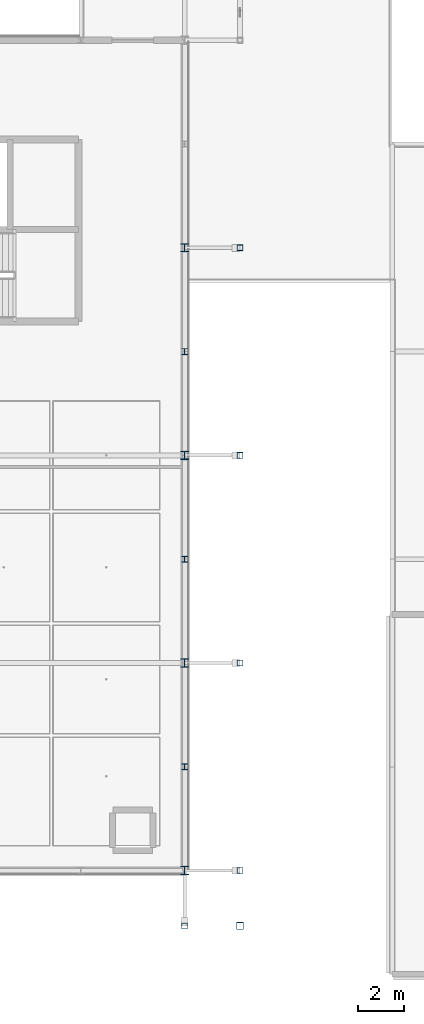
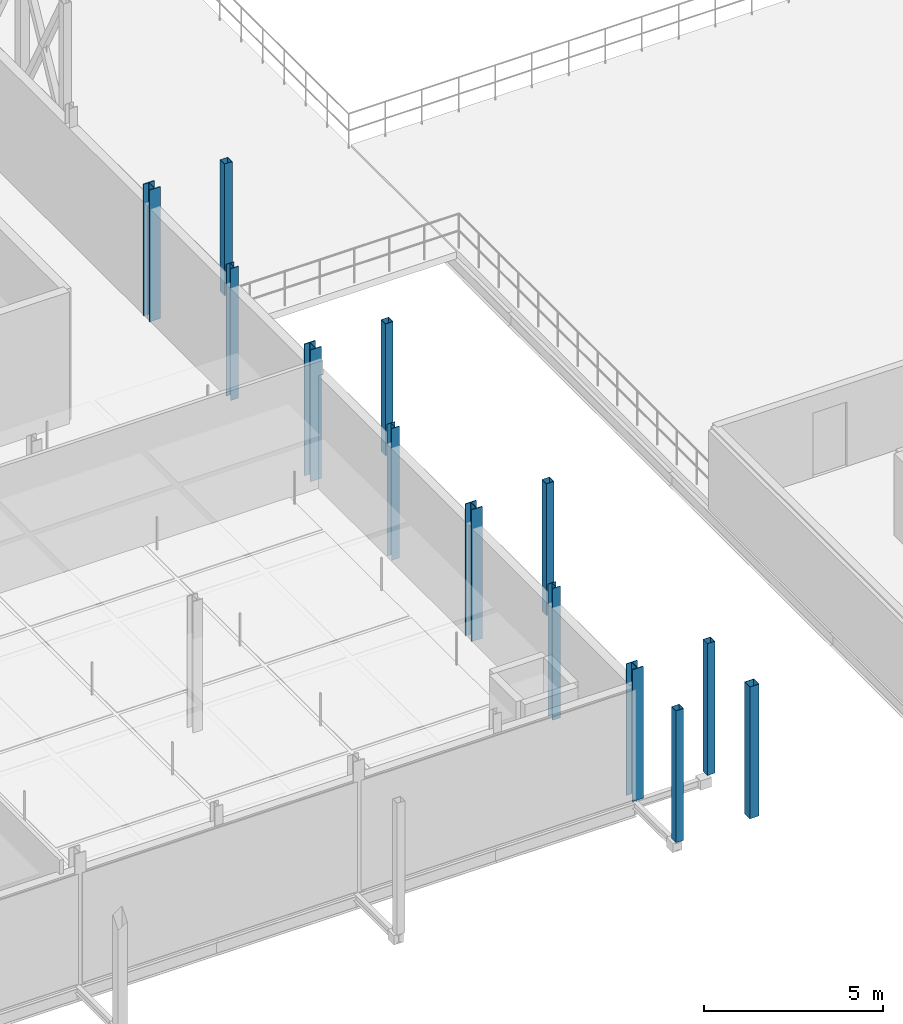
# One storey, part 7 of 89: 13 columns.
"""IFC4 building model written with IfcOpenShell, lengths in metres."""

from ifc_helpers import new_model, si_unit, direction, frame, origin, origin_2d, place, context, subcontext, project, spatial, hollow_rectangle, i_section, extrude, material, material_profile, profile_set, type_object, element, save


model = new_model("IFC4")

# Units and contexts
model_context = context("Model", 3, precision=1e-05, world=origin(), true_north=direction((0.0, 1.0)))
body_context = subcontext(model_context, "Body", "Model", "MODEL_VIEW")
ifc_project = project(units=[si_unit("LENGTHUNIT", "METRE"), si_unit("AREAUNIT", "SQUARE_METRE"), si_unit("VOLUMEUNIT", "CUBIC_METRE"), si_unit("PLANEANGLEUNIT", "RADIAN"), si_unit("MASSUNIT", "GRAM", prefix="KILO"), si_unit("THERMODYNAMICTEMPERATUREUNIT", "KELVIN"), si_unit("POWERUNIT", "WATT")], contexts=[model_context])

# Site, building, storey
site_placement = place(None, origin())
site = spatial("IfcSite", under=ifc_project, at=site_placement, CompositionType="ELEMENT")
building_placement = place(site_placement, origin())
building = spatial("IfcBuilding", under=site, at=building_placement, Name="Tallowbark Science Centre", CompositionType="ELEMENT")
storey_placement = place(building_placement, frame((0.0, 0.0, 14.39990234375)))
storey = spatial("IfcBuildingStorey", under=building, at=storey_placement, Name="L03", CompositionType="ELEMENT", Elevation=14.39990234375)

# Columns
ifc_material_1 = material(Name="White Architectural Painted Steel Grade C350L0 (350 MPa)", Category="steel")
ifc_material_profile_1 = material_profile(ifc_material_1, hollow_rectangle(XDim=0.25, YDim=0.25, WallThickness=0.009033203125, at=origin_2d()), Name="250x250x9.0SHS")
ifc_profile_set_1 = profile_set([ifc_material_profile_1], Name="White Architectural Painted Steel Grade C350L0 (350 MPa)")
column_type_1 = type_object("IfcColumnType", Name="COL-SCR200", PredefinedType="COLUMN", material=ifc_profile_set_1)
for number, where, z_axis, x_axis, name in (
    (1, (103.5, 2.10009765625, 0.0), (0.0, 0.0, 1.0), (1.0, 0.0, 0.0), "Column SCR-S06 L03"),
    (2, (105.89990234375, 4.5, 0.0), (0.0, 0.0, 1.0), (1.0, 0.0, 0.0), "Column SCR-E01 L03"),
    (3, (105.89990234375, 13.5, 0.0), (0.0, 0.0, 1.0), (1.0, 0.0, 0.0), "Column SCR-E02 L03"),
    (4, (105.89990234375, 22.5, 0.0), (0.0, 0.0, 1.0), (1.0, 0.0, 0.0), "Column SCR-E03 L03"),
    (5, (105.89990234375, 31.5, 0.0), (0.0, 0.0, 1.0), (1.0, 0.0, 0.0), "Column SCR-E04 L03"),
):
    element("IfcColumn", number, at=place(storey_placement, frame(where, z_axis=z_axis, x_axis=x_axis)), inside=storey, type_object=column_type_1, Name=name, PredefinedType="COLUMN", context=body_context, shape_type="SweptSolid", body=[
        extrude(hollow_rectangle(XDim=0.25, YDim=0.25, WallThickness=0.009033203125, at=origin_2d()), origin(), (0.0, 0.0, 1.0), 4.5),
    ])
ifc_material_profile_2 = material_profile(ifc_material_1, hollow_rectangle(XDim=0.300048828125, YDim=0.300048828125, WallThickness=0.010009765625, at=origin_2d()), Name="300x300x10.0SHS")
ifc_profile_set_2 = profile_set([ifc_material_profile_2], Name="White Architectural Painted Steel Grade C350L0 (350 MPa)")
column_type_2 = type_object("IfcColumnType", Name="COL-SCR300", PredefinedType="COLUMN", material=ifc_profile_set_2)
column_placement = place(storey_placement, frame((105.89990234375, 2.10009765625, 0.0), z_axis=(0.0, 0.0, 1.0), x_axis=(1.0, 0.0, 0.0)))
element("IfcColumn", 6, at=column_placement, inside=storey, type_object=column_type_2, Name="Column SCR-S07 L03", PredefinedType="COLUMN", context=body_context, shape_type="SweptSolid", body=[
    extrude(hollow_rectangle(XDim=0.300048828125, YDim=0.300048828125, WallThickness=0.010009765625, at=origin_2d()), origin(), (0.0, 0.0, 1.0), 4.5),
])
ifc_material_2 = material(Name="Structural Steel Grade 300PLUS (300 MPa)", Category="steel")
ifc_material_profile_3 = material_profile(ifc_material_2, i_section(OverallWidth=0.35009765625, OverallDepth=0.35888671875, WebThickness=0.01611328125, FlangeThickness=0.02392578125, FilletRadius=0.013916015625, at=origin_2d()), Name="350WC197")
ifc_profile_set_3 = profile_set([ifc_material_profile_3], Name="Structural Steel Grade 300PLUS (300 MPa)")
column_type_3 = type_object("IfcColumnType", Name="COL-WC350", PredefinedType="COLUMN", material=ifc_profile_set_3)
for number, where, z_axis, x_axis, name in (
    (7, (103.5, 4.5, 0.0), (0.0, 0.0, 1.0), (1.0, 0.0, 0.0), "Column CUB-M5_0 L03"),
    (8, (103.5, 13.5, 0.0), (0.0, 0.0, 1.0), (1.0, 0.0, 0.0), "Column CUB-M5_1 L03"),
    (9, (103.5, 22.5, 0.0), (0.0, 0.0, 1.0), (1.0, 0.0, 0.0), "Column CUB-M5_2 L03"),
    (10, (103.5, 31.5, 0.0), (0.0, 0.0, 1.0), (1.0, 0.0, 0.0), "Column CUB-M5_3 L03"),
):
    element("IfcColumn", number, at=place(storey_placement, frame(where, z_axis=z_axis, x_axis=x_axis)), inside=storey, type_object=column_type_3, Name=name, PredefinedType="COLUMN", context=body_context, shape_type="SweptSolid", body=[
        extrude(i_section(OverallWidth=0.35009765625, OverallDepth=0.35888671875, WebThickness=0.01611328125, FlangeThickness=0.02392578125, FilletRadius=0.013916015625, at=origin_2d()), origin(), (0.0, 0.0, 1.0), 4.5),
    ])
ifc_material_profile_4 = material_profile(ifc_material_2, i_section(OverallWidth=0.256103515625, OverallDepth=0.260009765625, WebThickness=0.010498046875, FlangeThickness=0.017333984375, FilletRadius=0.013916015625, at=origin_2d()), Name="250UC89.5")
ifc_profile_set_4 = profile_set([ifc_material_profile_4], Name="Structural Steel Grade 300PLUS (300 MPa)")
column_type_4 = type_object("IfcColumnType", Name="PIL-UC250", PredefinedType="PILASTER", material=ifc_profile_set_4)
for number, where, z_axis, x_axis, name in (
    (11, (103.5, 9.0, 0.0), (0.0, 0.0, 1.0), (1.0, 0.0, 0.0), "Column CUB-PE-0 L03"),
    (12, (103.5, 18.0, 0.0), (0.0, 0.0, 1.0), (1.0, 0.0, 0.0), "Column CUB-PE-1 L03"),
    (13, (103.5, 27.0, 0.0), (0.0, 0.0, 1.0), (1.0, 0.0, 0.0), "Column CUB-PE-2 L03"),
):
    element("IfcColumn", number, at=place(storey_placement, frame(where, z_axis=z_axis, x_axis=x_axis)), inside=storey, type_object=column_type_4, Name=name, PredefinedType="PILASTER", context=body_context, shape_type="SweptSolid", body=[
        extrude(i_section(OverallWidth=0.256103515625, OverallDepth=0.260009765625, WebThickness=0.010498046875, FlangeThickness=0.017333984375, FilletRadius=0.013916015625, at=origin_2d()), origin(), (0.0, 0.0, 1.0), 4.5),
    ])

save(model, "model.ifc")
